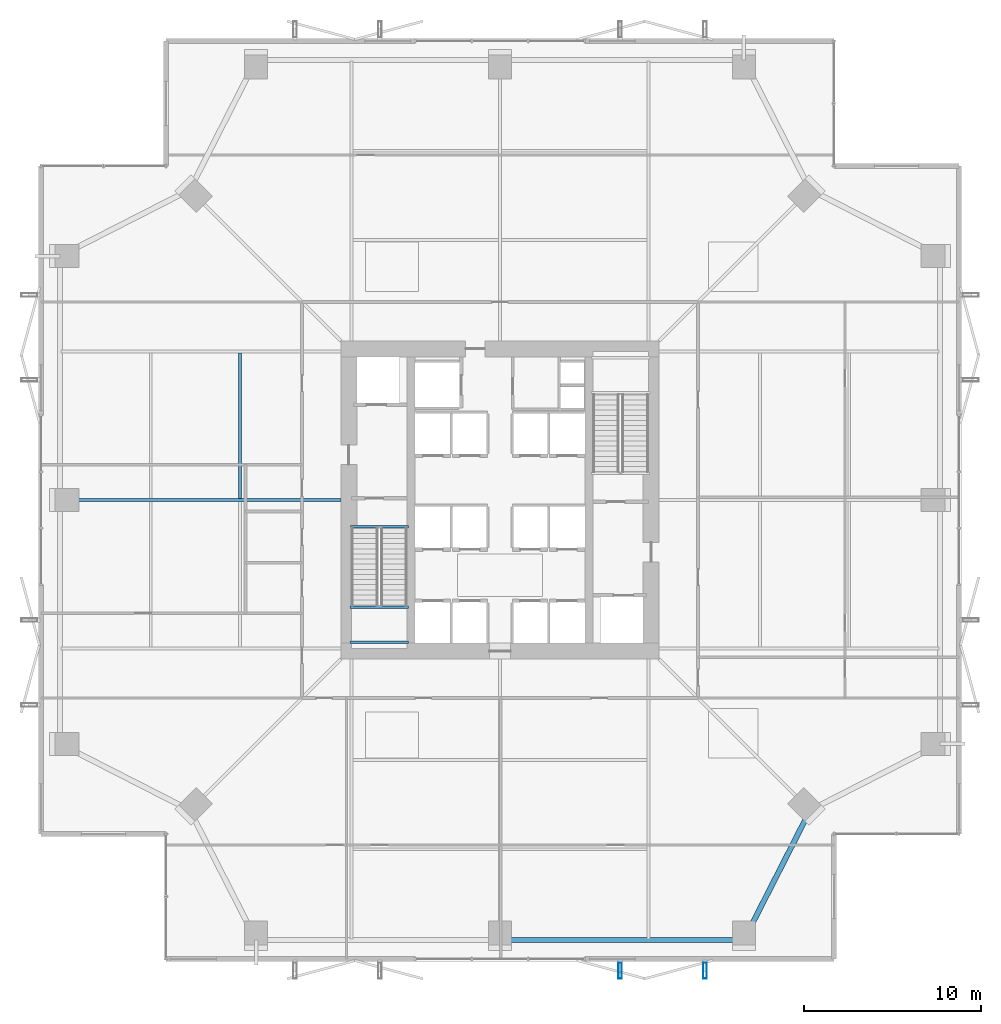
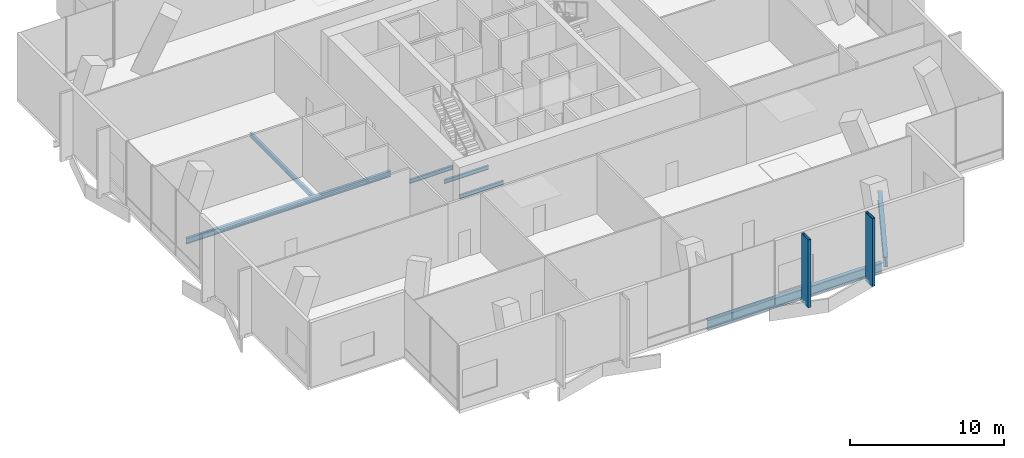
# One storey, part 9 of 28: 7 beams, 2 members.
"""IFC4 building model written with IfcOpenShell, lengths in metres."""

from ifc_helpers import new_model, si_unit, direction, frame, origin, origin_2d, place, context, subcontext, project, spatial, hollow_rectangle, i_section, extrude, material, material_profile, profile_set, type_object, element, save


model = new_model("IFC4")

# Units and contexts
model_context = context("Model", 3, precision=1e-05, world=origin(), true_north=direction((0.0, 1.0)))
body_context = subcontext(model_context, "Body", "Model", "MODEL_VIEW")
ifc_project = project(units=[si_unit("LENGTHUNIT", "METRE"), si_unit("AREAUNIT", "SQUARE_METRE"), si_unit("VOLUMEUNIT", "CUBIC_METRE"), si_unit("PLANEANGLEUNIT", "RADIAN"), si_unit("MASSUNIT", "GRAM", prefix="KILO")], contexts=[model_context])

# Site, building, storey
site_placement = place(None, origin())
site = spatial("IfcSite", under=ifc_project, at=site_placement, CompositionType="ELEMENT")
building_placement = place(site_placement, origin())
building = spatial("IfcBuilding", under=site, at=building_placement, Name="Belovzor Exchange Tower", CompositionType="ELEMENT")
storey_placement = place(building_placement, frame((0.0, 0.0, 132.89990234375)))
storey = spatial("IfcBuildingStorey", under=building, at=storey_placement, Name="L32", CompositionType="ELEMENT", Elevation=132.89990234375)

# Beams
ifc_material_1 = material(Name="Steel S355", Category="steel")
ifc_material_profile_1 = material_profile(ifc_material_1, i_section(OverallWidth=0.169921875, OverallDepth=0.360107421875, WebThickness=0.008056640625, FlangeThickness=0.0126953125, at=origin_2d()))
ifc_profile_set_1 = profile_set([ifc_material_profile_1], Name="Steel S355")
beam_type_1 = type_object("IfcBeamType", Name="Secondary Infill Floor Joist IPE 360", PredefinedType="BEAM", material=ifc_profile_set_1)
beam_1_placement = place(storey_placement, frame((14.10302734375, 28.89501953125, -0.429931640625), z_axis=(0.0, 1.0, 0.0), x_axis=(-1.0, 0.0, 0.0)))
element("IfcBeam", 1, at=beam_1_placement, inside=storey, type_object=beam_type_1, Name="FJ-360 Secondary Infill Floor Joist IPE 360", PredefinedType="BEAM", context=body_context, shape_type="SweptSolid", body=[
    extrude(i_section(OverallWidth=0.169921875, OverallDepth=0.360107421875, WebThickness=0.008056640625, FlangeThickness=0.0126953125, at=origin_2d()), origin(), (0.0, 0.0, 1.0), 8.2099609375),
])
ifc_material_2 = material(Name="Steel S355", Category="steel")
ifc_material_profile_2 = material_profile(ifc_material_2, i_section(OverallWidth=0.14990234375, OverallDepth=0.300048828125, WebThickness=0.007080078125, FlangeThickness=0.0107421875, at=origin_2d()))
ifc_profile_set_2 = profile_set([ifc_material_profile_2], Name="Steel S355")
beam_type_2 = type_object("IfcBeamType", Name="Secondary Trim Floor Joist IPE 300", PredefinedType="BEAM", material=ifc_profile_set_2)
for number, where, z_axis, x_axis, name in (
    (2, (20.320068359375, 22.72998046875, 2.35009765625), (1.0, 0.0, 0.0), (0.0, 1.0, 0.0), "FJ-300 Secondary Trim Floor Joist IPE 300"),
    (3, (20.320068359375, 20.75, 2.35009765625), (1.0, 0.0, 0.0), (0.0, 1.0, 0.0), "FJ-300 Secondary Trim Floor Joist IPE 300"),
):
    element("IfcBeam", number, at=place(storey_placement, frame(where, z_axis=z_axis, x_axis=x_axis)), inside=storey, type_object=beam_type_2, Name=name, PredefinedType="BEAM", context=body_context, shape_type="SweptSolid", body=[
        extrude(i_section(OverallWidth=0.14990234375, OverallDepth=0.300048828125, WebThickness=0.007080078125, FlangeThickness=0.0107421875, at=origin_2d()), origin(), (0.0, 0.0, 1.0), 3.309814453125),
    ])
beam_2_placement = place(storey_placement, frame((20.340087890625, 27.280029296875, -0.39990234375), z_axis=(1.0, 0.0, 0.0), x_axis=(0.0, 1.0, 0.0)))
element("IfcBeam", 4, at=beam_2_placement, inside=storey, type_object=beam_type_2, Name="FJ-300 Secondary Trim Floor Joist IPE 300", PredefinedType="BEAM", context=body_context, shape_type="SweptSolid", body=[
    extrude(i_section(OverallWidth=0.14990234375, OverallDepth=0.300048828125, WebThickness=0.007080078125, FlangeThickness=0.0107421875, at=origin_2d()), origin(), (0.0, 0.0, 1.0), 3.27001953125),
])
ifc_material_3 = material(Name="Steel S355", Category="steel")
ifc_material_profile_3 = material_profile(ifc_material_3, i_section(OverallWidth=0.300048828125, OverallDepth=0.800048828125, WebThickness=0.017578125, FlangeThickness=0.032958984375, at=origin_2d()))
ifc_profile_set_3 = profile_set([ifc_material_profile_3], Name="Steel S355")
beam_type_3 = type_object("IfcBeamType", Name="Sky-Lobby Primary Girder HEB 800", PredefinedType="BEAM", material=ifc_profile_set_3)
beam_3_placement = place(storey_placement, frame((29.157958984375, 3.89990234375, -0.64990234375), z_axis=(1.0, 0.0, 0.0), x_axis=(0.0, 1.0, 0.0)))
element("IfcBeam", 5, at=beam_3_placement, inside=storey, type_object=beam_type_3, Name="SG-1 Sky-Lobby Primary Girder HEB 800", PredefinedType="BEAM", context=body_context, shape_type="SweptSolid", body=[
    extrude(i_section(OverallWidth=0.300048828125, OverallDepth=0.800048828125, WebThickness=0.017578125, FlangeThickness=0.032958984375, at=origin_2d()), origin(), (0.0, 0.0, 1.0), 13.083984375),
])
beam_4_placement = place(storey_placement, frame((42.761962890625, 4.218017578125, -0.64990234375), z_axis=(0.454531706448, 0.890730558493, 0.0), x_axis=(-0.890730558493, 0.454531706448, 0.0)))
element("IfcBeam", 6, at=beam_4_placement, inside=storey, type_object=beam_type_3, Name="SG-1 Sky-Lobby Primary Girder HEB 800", PredefinedType="BEAM", context=body_context, shape_type="SweptSolid", body=[
    extrude(i_section(OverallWidth=0.300048828125, OverallDepth=0.800048828125, WebThickness=0.017578125, FlangeThickness=0.032958984375, at=origin_2d()), origin(), (0.0, 0.0, 1.0), 7.53759765625),
])

# Members
ifc_material_4 = material(Name="Extruded Architectural Terracotta on Steel S355 Carrier", Category="masonry")
ifc_material_profile_4 = material_profile(ifc_material_4, hollow_rectangle(XDim=0.199951171875, YDim=0.89990234375, WallThickness=0.011962890625, at=origin_2d()))
ifc_profile_set_4 = profile_set([ifc_material_profile_4], Name="Extruded Architectural Terracotta on Steel S355 Carrier")
member_type = type_object("IfcMemberType", Name="Sweeping Terracotta Baguette Fin Assembly 1250", PredefinedType="USERDEFINED", material=ifc_profile_set_4)
for number, where, z_axis, x_axis, name in (
    (7, (35.60009765625, 2.175048828125, -0.25), (0.0, 0.0, 1.0), (1.0, 0.0, 0.0), "FIN-TC125 Terracotta Facade Fin L32 S3"),
    (8, (40.39990234375, 2.175048828125, -0.25), (0.0, 0.0, 1.0), (1.0, 0.0, 0.0), "FIN-TC125 Terracotta Facade Fin L32 S4"),
):
    element("IfcMember", number, at=place(storey_placement, frame(where, z_axis=z_axis, x_axis=x_axis)), inside=storey, type_object=member_type, Name=name, ObjectType="FIN", PredefinedType="USERDEFINED", context=body_context, shape_type="SweptSolid", body=[
        extrude(hollow_rectangle(XDim=0.199951171875, YDim=0.89990234375, WallThickness=0.011962890625, at=origin_2d()), origin(), (0.0, 0.0, 1.0), 5.39501953125),
    ])

# Beam
ifc_material_5 = material(Name="Steel S355", Category="steel")
ifc_material_profile_5 = material_profile(ifc_material_5, i_section(OverallWidth=0.18994140625, OverallDepth=0.449951171875, WebThickness=0.009521484375, FlangeThickness=0.0146484375, at=origin_2d()))
ifc_profile_set_5 = profile_set([ifc_material_profile_5], Name="Steel S355")
beam_type_4 = type_object("IfcBeamType", Name="Zone 2-4 Radial Composite Floor Beam IPE 450", PredefinedType="BEAM", material=ifc_profile_set_5)
beam_5_placement = place(storey_placement, frame((19.800048828125, 28.800048828125, -0.474853515625), z_axis=(-1.0, 0.0, 0.0), x_axis=(0.0, -1.0, 0.0)))
element("IfcBeam", 9, at=beam_5_placement, inside=storey, type_object=beam_type_4, Name="FB-450 Zone 2-4 Radial Composite Floor Beam IPE 450", PredefinedType="BEAM", context=body_context, shape_type="SweptSolid", body=[
    extrude(i_section(OverallWidth=0.18994140625, OverallDepth=0.449951171875, WebThickness=0.009521484375, FlangeThickness=0.0146484375, at=origin_2d()), origin(), (0.0, 0.0, 1.0), 15.328125),
])

save(model, "model.ifc")
